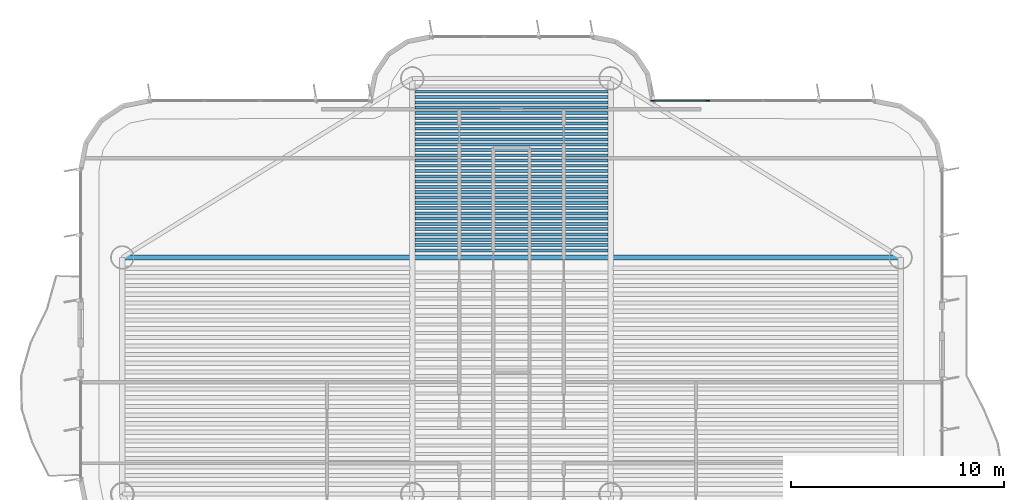
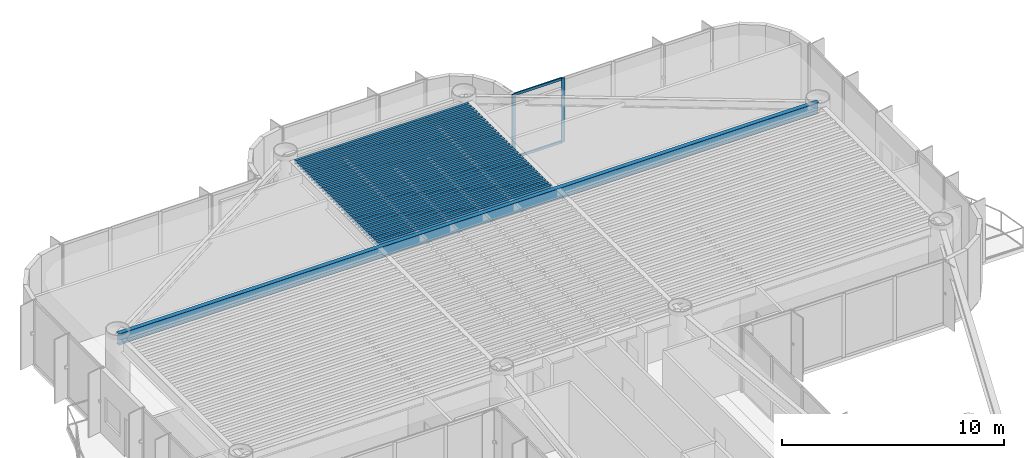
# One storey, part 6 of 14: 32 beams, 4 members, 1 element without a shape of its own.
"""IFC4 building model written with IfcOpenShell, lengths in metres."""

from ifc_helpers import new_model, si_unit, direction, frame, origin, origin_2d, place, context, subcontext, project, spatial, rectangle, i_section, extrude, source, transform, mapped, material, layer, layer_set, material_profile, profile_set, type_object, element, aggregate, save


model = new_model("IFC4")

# Units and contexts
model_context = context("Model", 3, precision=1e-05, world=origin(), true_north=direction((0.0, 1.0)))
body_context = subcontext(model_context, "Body", "Model", "MODEL_VIEW")
ifc_project = project(units=[si_unit("LENGTHUNIT", "METRE"), si_unit("AREAUNIT", "SQUARE_METRE"), si_unit("VOLUMEUNIT", "CUBIC_METRE"), si_unit("PLANEANGLEUNIT", "RADIAN"), si_unit("MASSUNIT", "GRAM", prefix="KILO")], contexts=[model_context])

# Site, building, storey
site_placement = place(None, origin())
site = spatial("IfcSite", under=ifc_project, at=site_placement, CompositionType="ELEMENT")
building_placement = place(site_placement, origin())
building = spatial("IfcBuilding", under=site, at=building_placement, Name="Brelvock Crest Care Tower", CompositionType="ELEMENT")
storey_placement = place(building_placement, frame((0.0, 0.0, 179.10009765625)))
storey = spatial("IfcBuildingStorey", under=building, at=storey_placement, Name="L45", CompositionType="ELEMENT", Elevation=179.10009765625)

# Beams
ifc_material_1 = material(Name="Steel Grade 350", Category="steel")
ifc_material_profile_1 = material_profile(ifc_material_1, i_section(OverallWidth=0.14599609375, OverallDepth=0.256103515625, WebThickness=0.00634765625, FlangeThickness=0.010986328125, FilletRadius=0.0087890625, at=origin_2d()), Name="250UB37.3")
ifc_profile_set_1 = profile_set([ifc_material_profile_1], Name="Steel Grade 350")
beam_type_1 = type_object("IfcBeamType", Name="BM-J3", PredefinedType="JOIST", material=ifc_profile_set_1)
shared_shape_1 = source(origin(), body_context, "Body", "SweptSolid", [
    extrude(i_section(OverallWidth=0.14599609375, OverallDepth=0.256103515625, WebThickness=0.00634765625, FlangeThickness=0.010986328125, FilletRadius=0.0087890625, at=origin_2d()), origin(), (0.0, 0.0, 1.0), 9.06982421875),
])
for number, where, z_axis, x_axis, name in (
    (1, (31.465087890625, 46.385986328125, 3.40185546875), (1.0, 0.0, 0.0), (0.0, 1.0, 0.0), "BM-JN-L45-1"),
    (2, (31.465087890625, 46.6337890625, 3.40185546875), (1.0, 0.0, 0.0), (0.0, 1.0, 0.0), "BM-JN-L45-2"),
    (3, (31.465087890625, 46.881591796875, 3.40185546875), (1.0, 0.0, 0.0), (0.0, 1.0, 0.0), "BM-JN-L45-3"),
    (4, (31.465087890625, 47.12939453125, 3.40185546875), (1.0, 0.0, 0.0), (0.0, 1.0, 0.0), "BM-JN-L45-4"),
    (5, (31.465087890625, 47.377197265625, 3.40185546875), (1.0, 0.0, 0.0), (0.0, 1.0, 0.0), "BM-JN-L45-5"),
    (6, (31.465087890625, 47.625, 3.40185546875), (1.0, 0.0, 0.0), (0.0, 1.0, 0.0), "BM-JN-L45-6"),
    (7, (31.465087890625, 47.872802734375, 3.40185546875), (1.0, 0.0, 0.0), (0.0, 1.0, 0.0), "BM-JN-L45-7"),
    (8, (31.465087890625, 48.12060546875, 3.40185546875), (1.0, 0.0, 0.0), (0.0, 1.0, 0.0), "BM-JN-L45-8"),
    (9, (31.465087890625, 48.368408203125, 3.40185546875), (1.0, 0.0, 0.0), (0.0, 1.0, 0.0), "BM-JN-L45-9"),
    (10, (31.465087890625, 48.6162109375, 3.40185546875), (1.0, 0.0, 0.0), (0.0, 1.0, 0.0), "BM-JN-L45-10"),
    (11, (31.465087890625, 48.864013671875, 3.40185546875), (1.0, 0.0, 0.0), (0.0, 1.0, 0.0), "BM-JN-L45-11"),
    (12, (31.465087890625, 49.11181640625, 3.40185546875), (1.0, 0.0, 0.0), (0.0, 1.0, 0.0), "BM-JN-L45-12"),
    (13, (31.465087890625, 49.359619140625, 3.40185546875), (1.0, 0.0, 0.0), (0.0, 1.0, 0.0), "BM-JN-L45-13"),
):
    element("IfcBeam", number, at=place(storey_placement, frame(where, z_axis=z_axis, x_axis=x_axis)), inside=storey, type_object=beam_type_1, Name=name, PredefinedType="JOIST", context=body_context, shape_type="MappedRepresentation", body=[
        mapped(shared_shape_1, transform((0.0, 0.0, 0.0), x_axis=(1.0, 0.0, 0.0), y_axis=(0.0, 1.0, 0.0), z_axis=(0.0, 0.0, 1.0), scale=1.0)),
    ])
ifc_material_profile_2 = material_profile(ifc_material_1, i_section(OverallWidth=0.134033203125, OverallDepth=0.20703125, WebThickness=0.00634765625, FlangeThickness=0.009521484375, FilletRadius=0.0087890625, at=origin_2d()), Name="200UB29.8")
ifc_profile_set_2 = profile_set([ifc_material_profile_2], Name="Steel Grade 350")
beam_type_2 = type_object("IfcBeamType", Name="BM-J4", PredefinedType="JOIST", material=ifc_profile_set_2)
shared_shape_2 = source(origin(), body_context, "Body", "SweptSolid", [
    extrude(i_section(OverallWidth=0.134033203125, OverallDepth=0.20703125, WebThickness=0.00634765625, FlangeThickness=0.009521484375, FilletRadius=0.0087890625, at=origin_2d()), origin(), (0.0, 0.0, 1.0), 9.06982421875),
])
for number, where, z_axis, x_axis, name in (
    (14, (31.465087890625, 49.607421875, 3.426513671875), (1.0, 0.0, 0.0), (0.0, 1.0, 0.0), "BM-JN-L45-14"),
    (15, (31.465087890625, 49.855224609375, 3.426513671875), (1.0, 0.0, 0.0), (0.0, 1.0, 0.0), "BM-JN-L45-15"),
    (16, (31.465087890625, 50.10302734375, 3.426513671875), (1.0, 0.0, 0.0), (0.0, 1.0, 0.0), "BM-JN-L45-16"),
    (17, (31.465087890625, 50.350830078125, 3.426513671875), (1.0, 0.0, 0.0), (0.0, 1.0, 0.0), "BM-JN-L45-17"),
    (18, (31.465087890625, 50.5986328125, 3.426513671875), (1.0, 0.0, 0.0), (0.0, 1.0, 0.0), "BM-JN-L45-18"),
    (19, (31.465087890625, 50.846435546875, 3.426513671875), (1.0, 0.0, 0.0), (0.0, 1.0, 0.0), "BM-JN-L45-19"),
    (20, (31.465087890625, 51.09423828125, 3.426513671875), (1.0, 0.0, 0.0), (0.0, 1.0, 0.0), "BM-JN-L45-20"),
    (21, (31.465087890625, 51.342041015625, 3.426513671875), (1.0, 0.0, 0.0), (0.0, 1.0, 0.0), "BM-JN-L45-21"),
    (22, (31.465087890625, 51.58984375, 3.426513671875), (1.0, 0.0, 0.0), (0.0, 1.0, 0.0), "BM-JN-L45-22"),
    (23, (31.465087890625, 51.837646484375, 3.426513671875), (1.0, 0.0, 0.0), (0.0, 1.0, 0.0), "BM-JN-L45-23"),
    (24, (31.465087890625, 52.08544921875, 3.426513671875), (1.0, 0.0, 0.0), (0.0, 1.0, 0.0), "BM-JN-L45-24"),
    (25, (31.465087890625, 52.333251953125, 3.426513671875), (1.0, 0.0, 0.0), (0.0, 1.0, 0.0), "BM-JN-L45-25"),
    (26, (31.465087890625, 52.5810546875, 3.426513671875), (1.0, 0.0, 0.0), (0.0, 1.0, 0.0), "BM-JN-L45-26"),
    (27, (31.465087890625, 52.828857421875, 3.426513671875), (1.0, 0.0, 0.0), (0.0, 1.0, 0.0), "BM-JN-L45-27"),
    (28, (31.465087890625, 53.07666015625, 3.426513671875), (1.0, 0.0, 0.0), (0.0, 1.0, 0.0), "BM-JN-L45-28"),
    (29, (31.465087890625, 53.324462890625, 3.426513671875), (1.0, 0.0, 0.0), (0.0, 1.0, 0.0), "BM-JN-L45-29"),
    (30, (31.465087890625, 53.572265625, 3.426513671875), (1.0, 0.0, 0.0), (0.0, 1.0, 0.0), "BM-JN-L45-30"),
    (31, (31.465087890625, 53.820068359375, 3.426513671875), (1.0, 0.0, 0.0), (0.0, 1.0, 0.0), "BM-JN-L45-31"),
):
    element("IfcBeam", number, at=place(storey_placement, frame(where, z_axis=z_axis, x_axis=x_axis)), inside=storey, type_object=beam_type_2, Name=name, PredefinedType="JOIST", context=body_context, shape_type="MappedRepresentation", body=[
        mapped(shared_shape_2, transform((0.0, 0.0, 0.0), x_axis=(1.0, 0.0, 0.0), y_axis=(0.0, 1.0, 0.0), z_axis=(0.0, 0.0, 1.0), scale=1.0)),
    ])
ifc_material_profile_3 = material_profile(ifc_material_1, i_section(OverallWidth=0.22900390625, OverallDepth=0.612060546875, WebThickness=0.011962890625, FlangeThickness=0.01953125, FilletRadius=0.013916015625, at=origin_2d()), Name="610UB125")
ifc_profile_set_3 = profile_set([ifc_material_profile_3], Name="Steel Grade 350")
beam_type_3 = type_object("IfcBeamType", Name="BM-G1", PredefinedType="BEAM", material=ifc_profile_set_3)
shared_shape_3 = source(origin(), body_context, "Body", "SweptSolid", [
    extrude(i_section(OverallWidth=0.22900390625, OverallDepth=0.612060546875, WebThickness=0.011962890625, FlangeThickness=0.01953125, FilletRadius=0.013916015625, at=origin_2d()), origin(), (0.0, 0.0, 1.0), 36.5),
])
beam_placement = place(storey_placement, frame((17.75, 46.050048828125, 3.223876953125), z_axis=(1.0, 0.0, 0.0), x_axis=(0.0, 1.0, 0.0)))
element("IfcBeam", 32, at=beam_placement, inside=storey, type_object=beam_type_3, Name="BM-TWR-L45-11", PredefinedType="BEAM", context=body_context, shape_type="MappedRepresentation", body=[
    mapped(shared_shape_3, transform((0.0, 0.0, 0.0), x_axis=(1.0, 0.0, 0.0), y_axis=(0.0, 1.0, 0.0), z_axis=(0.0, 0.0, 1.0), scale=1.0)),
])

# Curtain wall, members
ifc_material_2 = material(Name="Dark Glass Double Glazed Low-E", Category="glass")
ifc_layer = layer(ifc_material_2, 0.22509765625, Name="CWS-4")
ifc_layer_set = layer_set([ifc_layer], Name="Dark Glass Double Glazed Low-E")
curtain_wall_type = type_object("IfcCurtainWallType", Name="CWS-4", PredefinedType="NOTDEFINED", material=ifc_layer_set)
curtain_wall_placement = place(storey_placement, origin())
curtain_wall = element("IfcCurtainWall", 33, at=curtain_wall_placement, inside=storey, type_object=curtain_wall_type, Name="L45 Curtain Wall E34", PredefinedType="NOTDEFINED")
ifc_material_3 = material(Name="Aluminium 6063-T6", Category="aluminium")
ifc_material_profile_4 = material_profile(ifc_material_3, rectangle(XDim=0.06005859375, YDim=0.179931640625, at=origin_2d()), Name="ALU60x180")
ifc_profile_set_4 = profile_set([ifc_material_profile_4], Name="Aluminium 6063-T6")
member_type_1 = type_object("IfcMemberType", Name="CWM-2", PredefinedType="MULLION", material=ifc_profile_set_4)
shared_shape_4 = source(origin(), body_context, "Body", "SweptSolid", [
    extrude(rectangle(XDim=0.06005859375, YDim=0.179931640625, at=origin_2d()), origin(), (0.0, 0.0, 1.0), 3.52978515625),
])
member_1_placement = place(storey_placement, frame((42.6298828125, 53.39990234375, 0.0), z_axis=(0.0, 0.0, 1.0), x_axis=(0.0, 1.0, 0.0)))
member_1 = element("IfcMember", 34, at=member_1_placement, type_object=member_type_1, Name="CW-4 mullion 1", PredefinedType="MULLION", context=body_context, shape_type="MappedRepresentation", body=[
    mapped(shared_shape_4, transform((0.0, 0.0, 0.0), x_axis=(1.0, 0.0, 0.0), y_axis=(0.0, 1.0, 0.0), z_axis=(0.0, 0.0, 1.0), scale=1.0)),
])
member_2_placement = place(storey_placement, frame((45.199951171875, 53.39990234375, 0.0), z_axis=(0.0, 0.0, 1.0), x_axis=(0.0, 1.0, 0.0)))
member_2 = element("IfcMember", 35, at=member_2_placement, type_object=member_type_1, Name="CW-4 mullion 2", PredefinedType="MULLION", context=body_context, shape_type="MappedRepresentation", body=[
    mapped(shared_shape_4, transform((0.0, 0.0, 0.0), x_axis=(1.0, 0.0, 0.0), y_axis=(0.0, 1.0, 0.0), z_axis=(0.0, 0.0, 1.0), scale=1.0)),
])
ifc_material_profile_5 = material_profile(ifc_material_3, rectangle(XDim=0.06005859375, YDim=0.139892578125, at=origin_2d()), Name="ALU60x140")
ifc_profile_set_5 = profile_set([ifc_material_profile_5], Name="Aluminium 6063-T6")
member_type_2 = type_object("IfcMemberType", Name="CWT-2", PredefinedType="USERDEFINED", material=ifc_profile_set_5)
shared_shape_5 = source(origin(), body_context, "Body", "SweptSolid", [
    extrude(rectangle(XDim=0.06005859375, YDim=0.139892578125, at=origin_2d()), origin(), (0.0, 0.0, 1.0), 2.510009765625),
])
member_3_placement = place(storey_placement, frame((42.659912109375, 53.39990234375, 0.02978515625), z_axis=(1.0, 0.0, 0.0), x_axis=(0.0, 1.0, 0.0)))
member_3 = element("IfcMember", 36, at=member_3_placement, type_object=member_type_2, Name="CW-4 transom 1.1", ObjectType="TRANSOM", PredefinedType="USERDEFINED", context=body_context, shape_type="MappedRepresentation", body=[
    mapped(shared_shape_5, transform((0.0, 0.0, 0.0), x_axis=(1.0, 0.0, 0.0), y_axis=(0.0, 1.0, 0.0), z_axis=(0.0, 0.0, 1.0), scale=1.0)),
])
member_4_placement = place(storey_placement, frame((42.659912109375, 53.39990234375, 3.5), z_axis=(1.0, 0.0, 0.0), x_axis=(0.0, 1.0, 0.0)))
member_4 = element("IfcMember", 37, at=member_4_placement, type_object=member_type_2, Name="CW-4 transom 1.2", ObjectType="TRANSOM", PredefinedType="USERDEFINED", context=body_context, shape_type="MappedRepresentation", body=[
    mapped(shared_shape_5, transform((0.0, 0.0, 0.0), x_axis=(1.0, 0.0, 0.0), y_axis=(0.0, 1.0, 0.0), z_axis=(0.0, 0.0, 1.0), scale=1.0)),
])
aggregate(curtain_wall, [member_1, member_2, member_3, member_4])

save(model, "model.ifc")
